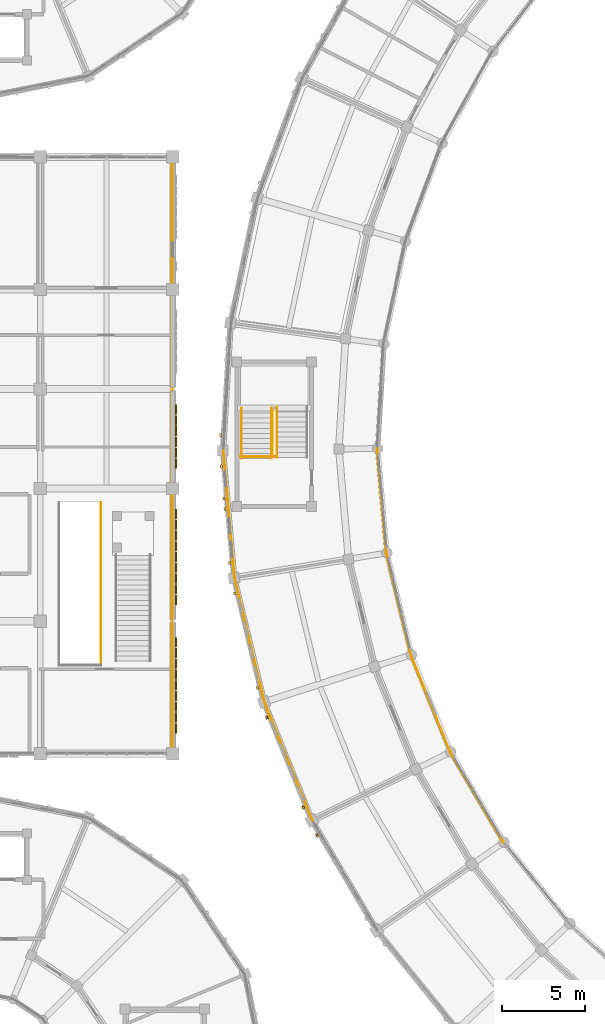
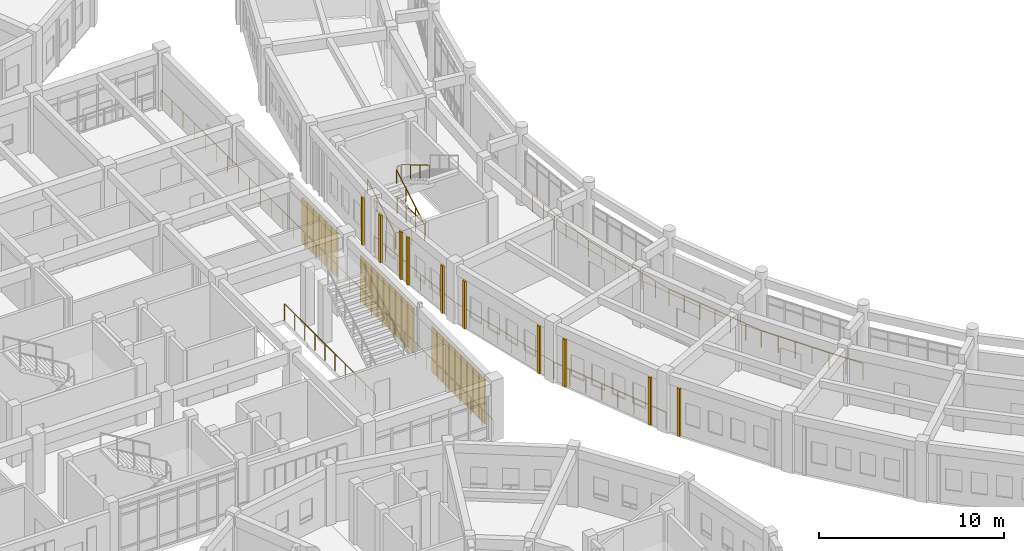
# One storey, part 143 of 159: 24 shading devices, 14 railings, 10 coverings.
"""IFC4 building model written with IfcOpenShell, lengths in metres."""

from ifc_helpers import new_model, si_unit, direction, frame, origin, origin_2d, place, context, subcontext, project, spatial, rectangle, circle, extrude, material, layer, layer_set, type_object, element, save


model = new_model("IFC4")

# Units and contexts
model_context = context("Model", 3, precision=1e-05, world=origin(), true_north=direction((0.0, 1.0)))
body_context = subcontext(model_context, "Body", "Model", "MODEL_VIEW")
ifc_project = project(units=[si_unit("LENGTHUNIT", "METRE"), si_unit("AREAUNIT", "SQUARE_METRE"), si_unit("VOLUMEUNIT", "CUBIC_METRE"), si_unit("PLANEANGLEUNIT", "RADIAN"), si_unit("MASSUNIT", "GRAM", prefix="KILO")], contexts=[model_context])

# Site, building, storey
site_placement = place(None, origin())
site = spatial("IfcSite", under=ifc_project, at=site_placement, CompositionType="ELEMENT")
building_placement = place(site_placement, origin())
building = spatial("IfcBuilding", under=site, at=building_placement, Name="Celadon Cloister-Ring School", CompositionType="ELEMENT")
storey_placement = place(building_placement, frame((0.0, 0.0, 4.5)))
storey = spatial("IfcBuildingStorey", under=building, at=storey_placement, Name="L01", CompositionType="ELEMENT", Elevation=4.5)

# Coverings
ifc_material_1 = material(Name="Perforated terracotta clay brick masonry", Category="masonry")
ifc_layer = layer(ifc_material_1, 0.139892578125)
ifc_layer_set = layer_set([ifc_layer], Name="Perforated terracotta clay brick masonry")
covering_type = type_object("IfcCoveringType", Name="CV-SC1", PredefinedType="CLADDING", material=ifc_layer_set)
for number, where, z_axis, x_axis, name in (
    (1, (34.884033203125, 59.217041015625, 0.0), (0.0, 0.0, 1.0), (0.06028200911, 0.99818138601, 0.0), "Brick Screen Rib 0140"),
    (2, (35.424072265625, 51.514892578125, 0.0), (0.0, 0.0, 1.0), (-0.087746881202, 0.996142803437, 0.0), "Brick Screen Rib 0144"),
    (3, (35.138916015625, 54.751953125, 0.0), (0.0, 0.0, 1.0), (-0.087746881202, 0.996142803437, 0.0), "Brick Screen Rib 0145"),
    (4, (35.08203125, 55.39990234375, 0.0), (0.0, 0.0, 1.0), (-0.087746881202, 0.996142803437, 0.0), "Brick Screen Rib 0146"),
    (5, (34.910888671875, 57.342041015625, 0.0), (0.0, 0.0, 1.0), (-0.087746881202, 0.996142803437, 0.0), "Brick Screen Rib 0147"),
    (6, (37.095947265625, 43.97705078125, 0.0), (0.0, 0.0, 1.0), (-0.233988401232, 0.972239388263, 0.0), "Brick Screen Rib 0148"),
    (7, (35.72705078125, 49.6650390625, 0.0), (0.0, 0.0, 1.0), (-0.233988401232, 0.972239388263, 0.0), "Brick Screen Rib 0149"),
    (8, (39.863037109375, 36.77001953125, 0.0), (0.0, 0.0, 1.0), (-0.375205264473, 0.926941750873, 0.0), "Brick Screen Rib 0150"),
    (9, (37.66796875, 42.19189453125, 0.0), (0.0, 0.0, 1.0), (-0.375205264473, 0.926941750873, 0.0), "Brick Screen Rib 0151"),
    (10, (40.694091796875, 35.089111328125, 0.0), (0.0, 0.0, 1.0), (-0.507809026694, 0.861469670045, 0.0), "Brick Screen Rib 0153"),
):
    element("IfcCovering", number, at=place(storey_placement, frame(where, z_axis=z_axis, x_axis=x_axis)), inside=storey, type_object=covering_type, Name=name, PredefinedType="CLADDING", context=body_context, shape_type="SweptSolid", body=[
        extrude(rectangle(XDim=0.179931640625, YDim=0.139892578125, at=origin_2d()), origin(), (0.0, 0.0, 1.0), 3.152099609375),
    ])

# Railings
ifc_material_2 = material(Name="Structural steel S355JR", Category="steel")
railing_type_1 = type_object("IfcRailingType", Name="RL-BL1", PredefinedType="BALUSTRADE", material=ifc_material_2)
railing_1_placement = place(storey_placement, frame((35.044921875, 58.281982421875, 0.0)))
element("IfcRailing", 11, at=railing_1_placement, inside=storey, type_object=railing_type_1, Name="Terrace Balustrade 0008", PredefinedType="BALUSTRADE", context=body_context, shape_type="SweptSolid", body=[
    extrude(circle(Radius=0.02392578125, at=origin_2d()), frame((0.0, 0.0, 1.09619140625), z_axis=(0.08782161192, -0.996136217834, 0.0), x_axis=(0.996136217834, 0.08782161192, 0.0)), (0.0, 0.0, 1.0), 7.69775390625),
    extrude(circle(Radius=0.02099609375, at=origin_2d()), origin(), (0.0, 0.0, 1.0), 1.072021484375),
    extrude(circle(Radius=0.02099609375, at=origin_2d()), frame((0.0966796875, -1.095458984375, 0.0)), (0.0, 0.0, 1.0), 1.072021484375),
    extrude(circle(Radius=0.02099609375, at=origin_2d()), frame((0.193115234375, -2.19091796875, 0.0)), (0.0, 0.0, 1.0), 1.072021484375),
    extrude(circle(Radius=0.02099609375, at=origin_2d()), frame((0.289794921875, -3.286376953125, 0.0)), (0.0, 0.0, 1.0), 1.072021484375),
    extrude(circle(Radius=0.02099609375, at=origin_2d()), frame((0.38623046875, -4.381591796875, 0.0)), (0.0, 0.0, 1.0), 1.072021484375),
    extrude(circle(Radius=0.02099609375, at=origin_2d()), frame((0.48291015625, -5.47705078125, 0.0)), (0.0, 0.0, 1.0), 1.072021484375),
    extrude(circle(Radius=0.02099609375, at=origin_2d()), frame((0.579345703125, -6.572509765625, 0.0)), (0.0, 0.0, 1.0), 1.072021484375),
    extrude(circle(Radius=0.02099609375, at=origin_2d()), frame((0.676025390625, -7.66796875, 0.0)), (0.0, 0.0, 1.0), 1.072021484375),
])
railing_2_placement = place(storey_placement, frame((35.720947265625, 50.614013671875, 0.0)))
element("IfcRailing", 12, at=railing_2_placement, inside=storey, type_object=railing_type_1, Name="Terrace Balustrade 0009", PredefinedType="BALUSTRADE", context=body_context, shape_type="SweptSolid", body=[
    extrude(circle(Radius=0.02392578125, at=origin_2d()), frame((0.0, 0.0, 1.09619140625), z_axis=(0.234086591506, -0.972215751609, 0.0), x_axis=(0.972215751609, 0.234086591506, 0.0)), (0.0, 0.0, 1.0), 7.697998046875),
    extrude(circle(Radius=0.02099609375, at=origin_2d()), origin(), (0.0, 0.0, 1.0), 1.072021484375),
    extrude(circle(Radius=0.02099609375, at=origin_2d()), frame((0.25732421875, -1.069091796875, 0.0)), (0.0, 0.0, 1.0), 1.072021484375),
    extrude(circle(Radius=0.02099609375, at=origin_2d()), frame((0.514892578125, -2.138427734375, 0.0)), (0.0, 0.0, 1.0), 1.072021484375),
    extrude(circle(Radius=0.02099609375, at=origin_2d()), frame((0.772216796875, -3.20751953125, 0.0)), (0.0, 0.0, 1.0), 1.072021484375),
    extrude(circle(Radius=0.02099609375, at=origin_2d()), frame((1.02978515625, -4.276611328125, 0.0)), (0.0, 0.0, 1.0), 1.072021484375),
    extrude(circle(Radius=0.02099609375, at=origin_2d()), frame((1.287109375, -5.345703125, 0.0)), (0.0, 0.0, 1.0), 1.072021484375),
    extrude(circle(Radius=0.02099609375, at=origin_2d()), frame((1.544677734375, -6.4150390625, 0.0)), (0.0, 0.0, 1.0), 1.072021484375),
    extrude(circle(Radius=0.02099609375, at=origin_2d()), frame((1.802001953125, -7.484130859375, 0.0)), (0.0, 0.0, 1.0), 1.072021484375),
])
railing_3_placement = place(storey_placement, frame((37.52294921875, 43.1298828125, 0.0)))
element("IfcRailing", 13, at=railing_3_placement, inside=storey, type_object=railing_type_1, Name="Terrace Balustrade 0010", PredefinedType="BALUSTRADE", context=body_context, shape_type="SweptSolid", body=[
    extrude(circle(Radius=0.02392578125, at=origin_2d()), frame((0.0, 0.0, 1.09619140625), z_axis=(0.375144097263, -0.926966507641, 0.0), x_axis=(0.926966507641, 0.375144097263, 0.0)), (0.0, 0.0, 1.0), 7.6982421875),
    extrude(circle(Radius=0.02099609375, at=origin_2d()), origin(), (0.0, 0.0, 1.0), 1.072021484375),
    extrude(circle(Radius=0.02099609375, at=origin_2d()), frame((0.41259765625, -1.01953125, 0.0)), (0.0, 0.0, 1.0), 1.072021484375),
    extrude(circle(Radius=0.02099609375, at=origin_2d()), frame((0.8251953125, -2.038818359375, 0.0)), (0.0, 0.0, 1.0), 1.072021484375),
    extrude(circle(Radius=0.02099609375, at=origin_2d()), frame((1.23779296875, -3.058349609375, 0.0)), (0.0, 0.0, 1.0), 1.072021484375),
    extrude(circle(Radius=0.02099609375, at=origin_2d()), frame((1.650146484375, -4.07763671875, 0.0)), (0.0, 0.0, 1.0), 1.072021484375),
    extrude(circle(Radius=0.02099609375, at=origin_2d()), frame((2.062744140625, -5.09716796875, 0.0)), (0.0, 0.0, 1.0), 1.072021484375),
    extrude(circle(Radius=0.02099609375, at=origin_2d()), frame((2.475341796875, -6.116455078125, 0.0)), (0.0, 0.0, 1.0), 1.072021484375),
    extrude(circle(Radius=0.02099609375, at=origin_2d()), frame((2.887939453125, -7.135986328125, 0.0)), (0.0, 0.0, 1.0), 1.072021484375),
])
railing_4_placement = place(storey_placement, frame((44.31396484375, 58.409912109375, 0.0)))
element("IfcRailing", 14, at=railing_4_placement, inside=storey, type_object=railing_type_1, Name="Terrace Balustrade 0043", PredefinedType="BALUSTRADE", context=body_context, shape_type="SweptSolid", body=[
    extrude(circle(Radius=0.02392578125, at=origin_2d()), frame((0.0, 0.0, 1.09619140625), z_axis=(0.087938875289, -0.996125872675, 0.0), x_axis=(0.996125872675, 0.087938875289, 0.0)), (0.0, 0.0, 1.0), 6.32421875),
    extrude(circle(Radius=0.02099609375, at=origin_2d()), origin(), (0.0, 0.0, 1.0), 1.072021484375),
    extrude(circle(Radius=0.02099609375, at=origin_2d()), frame((0.0927734375, -1.050048828125, 0.0)), (0.0, 0.0, 1.0), 1.072021484375),
    extrude(circle(Radius=0.02099609375, at=origin_2d()), frame((0.185302734375, -2.099853515625, 0.0)), (0.0, 0.0, 1.0), 1.072021484375),
    extrude(circle(Radius=0.02099609375, at=origin_2d()), frame((0.278076171875, -3.14990234375, 0.0)), (0.0, 0.0, 1.0), 1.072021484375),
    extrude(circle(Radius=0.02099609375, at=origin_2d()), frame((0.370849609375, -4.199951171875, 0.0)), (0.0, 0.0, 1.0), 1.072021484375),
    extrude(circle(Radius=0.02099609375, at=origin_2d()), frame((0.46337890625, -5.249755859375, 0.0)), (0.0, 0.0, 1.0), 1.072021484375),
    extrude(circle(Radius=0.02099609375, at=origin_2d()), frame((0.55615234375, -6.2998046875, 0.0)), (0.0, 0.0, 1.0), 1.072021484375),
])
railing_5_placement = place(storey_placement, frame((44.8701171875, 52.110107421875, 0.0)))
element("IfcRailing", 15, at=railing_5_placement, inside=storey, type_object=railing_type_1, Name="Terrace Balustrade 0044", PredefinedType="BALUSTRADE", context=body_context, shape_type="SweptSolid", body=[
    extrude(circle(Radius=0.02392578125, at=origin_2d()), frame((0.0, 0.0, 1.09619140625), z_axis=(0.233997757612, -0.972237136419, 0.0), x_axis=(0.972237136419, 0.233997757612, 0.0)), (0.0, 0.0, 1.0), 6.32470703125),
    extrude(circle(Radius=0.02099609375, at=origin_2d()), origin(), (0.0, 0.0, 1.0), 1.072021484375),
    extrude(circle(Radius=0.02099609375, at=origin_2d()), frame((0.24658203125, -1.02490234375, 0.0)), (0.0, 0.0, 1.0), 1.072021484375),
    extrude(circle(Radius=0.02099609375, at=origin_2d()), frame((0.493408203125, -2.0498046875, 0.0)), (0.0, 0.0, 1.0), 1.072021484375),
    extrude(circle(Radius=0.02099609375, at=origin_2d()), frame((0.739990234375, -3.07470703125, 0.0)), (0.0, 0.0, 1.0), 1.072021484375),
    extrude(circle(Radius=0.02099609375, at=origin_2d()), frame((0.986572265625, -4.099365234375, 0.0)), (0.0, 0.0, 1.0), 1.072021484375),
    extrude(circle(Radius=0.02099609375, at=origin_2d()), frame((1.2333984375, -5.124267578125, 0.0)), (0.0, 0.0, 1.0), 1.072021484375),
    extrude(circle(Radius=0.02099609375, at=origin_2d()), frame((1.47998046875, -6.149169921875, 0.0)), (0.0, 0.0, 1.0), 1.072021484375),
])
railing_6_placement = place(storey_placement, frame((46.35009765625, 45.9609375, 0.0)))
element("IfcRailing", 16, at=railing_6_placement, inside=storey, type_object=railing_type_1, Name="Terrace Balustrade 0045", PredefinedType="BALUSTRADE", context=body_context, shape_type="SweptSolid", body=[
    extrude(circle(Radius=0.02392578125, at=origin_2d()), frame((0.0, 0.0, 1.09619140625), z_axis=(0.375082176231, -0.926991564726, 0.0), x_axis=(0.926991564726, 0.375082176231, 0.0)), (0.0, 0.0, 1.0), 6.323486328125),
    extrude(circle(Radius=0.02099609375, at=origin_2d()), origin(), (0.0, 0.0, 1.0), 1.072021484375),
    extrude(circle(Radius=0.02099609375, at=origin_2d()), frame((0.395263671875, -0.97705078125, 0.0)), (0.0, 0.0, 1.0), 1.072021484375),
    extrude(circle(Radius=0.02099609375, at=origin_2d()), frame((0.79052734375, -1.953857421875, 0.0)), (0.0, 0.0, 1.0), 1.072021484375),
    extrude(circle(Radius=0.02099609375, at=origin_2d()), frame((1.18603515625, -2.930908203125, 0.0)), (0.0, 0.0, 1.0), 1.072021484375),
    extrude(circle(Radius=0.02099609375, at=origin_2d()), frame((1.581298828125, -3.907958984375, 0.0)), (0.0, 0.0, 1.0), 1.072021484375),
    extrude(circle(Radius=0.02099609375, at=origin_2d()), frame((1.9765625, -4.884765625, 0.0)), (0.0, 0.0, 1.0), 1.072021484375),
    extrude(circle(Radius=0.02099609375, at=origin_2d()), frame((2.371826171875, -5.86181640625, 0.0)), (0.0, 0.0, 1.0), 1.072021484375),
])
railing_7_placement = place(storey_placement, frame((48.721923828125, 40.09912109375, 0.0)))
element("IfcRailing", 17, at=railing_7_placement, inside=storey, type_object=railing_type_1, Name="Terrace Balustrade 0046", PredefinedType="BALUSTRADE", context=body_context, shape_type="SweptSolid", body=[
    extrude(circle(Radius=0.02392578125, at=origin_2d()), frame((0.0, 0.0, 1.09619140625), z_axis=(0.507993097336, -0.861361139743, 0.0), x_axis=(0.861361139743, 0.507993097336, 0.0)), (0.0, 0.0, 1.0), 6.3251953125),
    extrude(circle(Radius=0.02099609375, at=origin_2d()), origin(), (0.0, 0.0, 1.0), 1.072021484375),
    extrude(circle(Radius=0.02099609375, at=origin_2d()), frame((0.53564453125, -0.907958984375, 0.0)), (0.0, 0.0, 1.0), 1.072021484375),
    extrude(circle(Radius=0.02099609375, at=origin_2d()), frame((1.071044921875, -1.816162109375, 0.0)), (0.0, 0.0, 1.0), 1.072021484375),
    extrude(circle(Radius=0.02099609375, at=origin_2d()), frame((1.6064453125, -2.72412109375, 0.0)), (0.0, 0.0, 1.0), 1.072021484375),
    extrude(circle(Radius=0.02099609375, at=origin_2d()), frame((2.14208984375, -3.632080078125, 0.0)), (0.0, 0.0, 1.0), 1.072021484375),
    extrude(circle(Radius=0.02099609375, at=origin_2d()), frame((2.677734375, -4.540283203125, 0.0)), (0.0, 0.0, 1.0), 1.072021484375),
    extrude(circle(Radius=0.02099609375, at=origin_2d()), frame((3.213134765625, -5.4482421875, 0.0)), (0.0, 0.0, 1.0), 1.072021484375),
])
railing_8_placement = place(storey_placement, frame((31.9599609375, 40.0400390625, 0.0)))
element("IfcRailing", 18, at=railing_8_placement, inside=storey, type_object=railing_type_1, Name="Terrace Balustrade 0445", PredefinedType="BALUSTRADE", context=body_context, shape_type="SweptSolid", body=[
    extrude(circle(Radius=0.02392578125, at=origin_2d()), frame((0.0, 0.0, 1.09619140625), z_axis=(0.0, 1.0, 0.0), x_axis=(-1.0, 0.0, 0.0)), (0.0, 0.0, 1.0), 35.919921875),
    extrude(circle(Radius=0.02099609375, at=origin_2d()), origin(), (0.0, 0.0, 1.0), 1.072021484375),
    extrude(circle(Radius=0.02099609375, at=origin_2d()), frame((0.0, 1.197265625, 0.0)), (0.0, 0.0, 1.0), 1.072021484375),
    extrude(circle(Radius=0.02099609375, at=origin_2d()), frame((0.0, 2.394775390625, 0.0)), (0.0, 0.0, 1.0), 1.072021484375),
    extrude(circle(Radius=0.02099609375, at=origin_2d()), frame((0.0, 3.592041015625, 0.0)), (0.0, 0.0, 1.0), 1.072021484375),
    extrude(circle(Radius=0.02099609375, at=origin_2d()), frame((0.0, 4.789306640625, 0.0)), (0.0, 0.0, 1.0), 1.072021484375),
    extrude(circle(Radius=0.02099609375, at=origin_2d()), frame((0.0, 5.986572265625, 0.0)), (0.0, 0.0, 1.0), 1.072021484375),
    extrude(circle(Radius=0.02099609375, at=origin_2d()), frame((0.0, 7.18408203125, 0.0)), (0.0, 0.0, 1.0), 1.072021484375),
    extrude(circle(Radius=0.02099609375, at=origin_2d()), frame((0.0, 8.38134765625, 0.0)), (0.0, 0.0, 1.0), 1.072021484375),
    extrude(circle(Radius=0.02099609375, at=origin_2d()), frame((0.0, 9.57861328125, 0.0)), (0.0, 0.0, 1.0), 1.072021484375),
    extrude(circle(Radius=0.02099609375, at=origin_2d()), frame((0.0, 10.77587890625, 0.0)), (0.0, 0.0, 1.0), 1.072021484375),
    extrude(circle(Radius=0.02099609375, at=origin_2d()), frame((0.0, 11.973388671875, 0.0)), (0.0, 0.0, 1.0), 1.072021484375),
    extrude(circle(Radius=0.02099609375, at=origin_2d()), frame((0.0, 13.170654296875, 0.0)), (0.0, 0.0, 1.0), 1.072021484375),
    extrude(circle(Radius=0.02099609375, at=origin_2d()), frame((0.0, 14.367919921875, 0.0)), (0.0, 0.0, 1.0), 1.072021484375),
    extrude(circle(Radius=0.02099609375, at=origin_2d()), frame((0.0, 15.565185546875, 0.0)), (0.0, 0.0, 1.0), 1.072021484375),
    extrude(circle(Radius=0.02099609375, at=origin_2d()), frame((0.0, 16.7626953125, 0.0)), (0.0, 0.0, 1.0), 1.072021484375),
    extrude(circle(Radius=0.02099609375, at=origin_2d()), frame((0.0, 17.9599609375, 0.0)), (0.0, 0.0, 1.0), 1.072021484375),
    extrude(circle(Radius=0.02099609375, at=origin_2d()), frame((0.0, 19.1572265625, 0.0)), (0.0, 0.0, 1.0), 1.072021484375),
    extrude(circle(Radius=0.02099609375, at=origin_2d()), frame((0.0, 20.354736328125, 0.0)), (0.0, 0.0, 1.0), 1.072021484375),
    extrude(circle(Radius=0.02099609375, at=origin_2d()), frame((0.0, 21.552001953125, 0.0)), (0.0, 0.0, 1.0), 1.072021484375),
    extrude(circle(Radius=0.02099609375, at=origin_2d()), frame((0.0, 22.749267578125, 0.0)), (0.0, 0.0, 1.0), 1.072021484375),
    extrude(circle(Radius=0.02099609375, at=origin_2d()), frame((0.0, 23.946533203125, 0.0)), (0.0, 0.0, 1.0), 1.072021484375),
    extrude(circle(Radius=0.02099609375, at=origin_2d()), frame((0.0, 25.14404296875, 0.0)), (0.0, 0.0, 1.0), 1.072021484375),
    extrude(circle(Radius=0.02099609375, at=origin_2d()), frame((0.0, 26.34130859375, 0.0)), (0.0, 0.0, 1.0), 1.072021484375),
    extrude(circle(Radius=0.02099609375, at=origin_2d()), frame((0.0, 27.53857421875, 0.0)), (0.0, 0.0, 1.0), 1.072021484375),
    extrude(circle(Radius=0.02099609375, at=origin_2d()), frame((0.0, 28.73583984375, 0.0)), (0.0, 0.0, 1.0), 1.072021484375),
    extrude(circle(Radius=0.02099609375, at=origin_2d()), frame((0.0, 29.933349609375, 0.0)), (0.0, 0.0, 1.0), 1.072021484375),
    extrude(circle(Radius=0.02099609375, at=origin_2d()), frame((0.0, 31.130615234375, 0.0)), (0.0, 0.0, 1.0), 1.072021484375),
    extrude(circle(Radius=0.02099609375, at=origin_2d()), frame((0.0, 32.327880859375, 0.0)), (0.0, 0.0, 1.0), 1.072021484375),
    extrude(circle(Radius=0.02099609375, at=origin_2d()), frame((0.0, 33.525146484375, 0.0)), (0.0, 0.0, 1.0), 1.072021484375),
    extrude(circle(Radius=0.02099609375, at=origin_2d()), frame((0.0, 34.72265625, 0.0)), (0.0, 0.0, 1.0), 1.072021484375),
    extrude(circle(Radius=0.02099609375, at=origin_2d()), frame((0.0, 35.919921875, 0.0)), (0.0, 0.0, 1.0), 1.072021484375),
])
ifc_material_3 = material(Name="Structural steel S355JR", Category="steel")
railing_type_2 = type_object("IfcRailingType", Name="RL-BL2", PredefinedType="BALUSTRADE", material=ifc_material_3)
railing_9_placement = place(storey_placement, frame((36.090087890625, 57.9150390625, 0.0)))
element("IfcRailing", 19, at=railing_9_placement, inside=storey, type_object=railing_type_2, Name="Interior Guard 0242", PredefinedType="BALUSTRADE", context=body_context, shape_type="SweptSolid", body=[
    extrude(circle(Radius=0.02392578125, at=origin_2d()), frame((0.0, 0.0, 1.09619140625), z_axis=(1.0, 0.0, 0.0), x_axis=(0.0, 1.0, 0.0)), (0.0, 0.0, 1.0), 2.139892578125),
    extrude(circle(Radius=0.02099609375, at=origin_2d()), origin(), (0.0, 0.0, 1.0), 1.072021484375),
    extrude(circle(Radius=0.02099609375, at=origin_2d()), frame((1.06982421875, 0.0, 0.0)), (0.0, 0.0, 1.0), 1.072021484375),
    extrude(circle(Radius=0.02099609375, at=origin_2d()), frame((2.139892578125, 0.0, 0.0)), (0.0, 0.0, 1.0), 1.072021484375),
])
railing_10_placement = place(storey_placement, frame((37.989990234375, 57.9150390625, 0.0)))
element("IfcRailing", 20, at=railing_10_placement, inside=storey, type_object=railing_type_2, Name="Interior Guard 0243", PredefinedType="BALUSTRADE", context=body_context, shape_type="SweptSolid", body=[
    extrude(circle(Radius=0.02392578125, at=origin_2d()), frame((0.0, 0.0, 1.09619140625), z_axis=(0.0, 1.0, 0.0), x_axis=(-1.0, 0.0, 0.0)), (0.0, 0.0, 1.0), 2.93505859375),
    extrude(circle(Radius=0.02099609375, at=origin_2d()), origin(), (0.0, 0.0, 1.0), 1.072021484375),
    extrude(circle(Radius=0.02099609375, at=origin_2d()), frame((0.0, 0.978271484375, 0.0)), (0.0, 0.0, 1.0), 1.072021484375),
    extrude(circle(Radius=0.02099609375, at=origin_2d()), frame((0.0, 1.956787109375, 0.0)), (0.0, 0.0, 1.0), 1.072021484375),
    extrude(circle(Radius=0.02099609375, at=origin_2d()), frame((0.0, 2.93505859375, 0.0)), (0.0, 0.0, 1.0), 1.072021484375),
])
railing_11_placement = place(storey_placement, frame((27.6650390625, 45.3349609375, 0.0)))
element("IfcRailing", 21, at=railing_11_placement, inside=storey, type_object=railing_type_2, Name="Interior Guard 0276", PredefinedType="BALUSTRADE", context=body_context, shape_type="SweptSolid", body=[
    extrude(circle(Radius=0.02392578125, at=origin_2d()), frame((0.0, 0.0, 1.09619140625), z_axis=(0.0, 1.0, 0.0), x_axis=(-1.0, 0.0, 0.0)), (0.0, 0.0, 1.0), 9.81494140625),
    extrude(circle(Radius=0.02099609375, at=origin_2d()), origin(), (0.0, 0.0, 1.0), 1.072021484375),
    extrude(circle(Radius=0.02099609375, at=origin_2d()), frame((0.0, 1.090576171875, 0.0)), (0.0, 0.0, 1.0), 1.072021484375),
    extrude(circle(Radius=0.02099609375, at=origin_2d()), frame((0.0, 2.18115234375, 0.0)), (0.0, 0.0, 1.0), 1.072021484375),
    extrude(circle(Radius=0.02099609375, at=origin_2d()), frame((0.0, 3.271728515625, 0.0)), (0.0, 0.0, 1.0), 1.072021484375),
    extrude(circle(Radius=0.02099609375, at=origin_2d()), frame((0.0, 4.3623046875, 0.0)), (0.0, 0.0, 1.0), 1.072021484375),
    extrude(circle(Radius=0.02099609375, at=origin_2d()), frame((0.0, 5.45263671875, 0.0)), (0.0, 0.0, 1.0), 1.072021484375),
    extrude(circle(Radius=0.02099609375, at=origin_2d()), frame((0.0, 6.543212890625, 0.0)), (0.0, 0.0, 1.0), 1.072021484375),
    extrude(circle(Radius=0.02099609375, at=origin_2d()), frame((0.0, 7.6337890625, 0.0)), (0.0, 0.0, 1.0), 1.072021484375),
    extrude(circle(Radius=0.02099609375, at=origin_2d()), frame((0.0, 8.724365234375, 0.0)), (0.0, 0.0, 1.0), 1.072021484375),
    extrude(circle(Radius=0.02099609375, at=origin_2d()), frame((0.0, 9.81494140625, 0.0)), (0.0, 0.0, 1.0), 1.072021484375),
])
ifc_material_4 = material(Name="Structural steel S355JR", Category="steel")
railing_type_3 = type_object("IfcRailingType", Name="RL-HR1", PredefinedType="HANDRAIL", material=ifc_material_4)
for number, where, name in (
    (22, (37.945068359375, 57.800048828125, 0.181884765625), "Stair Handrail 0237"),
    (23, (36.135009765625, 57.800048828125, 0.181884765625), "Stair Handrail 0238"),
):
    element("IfcRailing", number, at=place(storey_placement, frame(where)), inside=storey, type_object=railing_type_3, Name=name, PredefinedType="HANDRAIL", context=body_context, shape_type="SweptSolid", body=[
        extrude(circle(Radius=0.02099609375, at=origin_2d()), frame((0.0, 0.0, 0.87890625), z_axis=(0.0, 0.858969654429, 0.51202649616), x_axis=(-1.0, 0.0, 0.0)), (0.0, 0.0, 1.0), 3.55078125),
        extrude(circle(Radius=0.01806640625, at=origin_2d()), origin(), (0.0, 0.0, 1.0), 0.85791015625),
        extrude(circle(Radius=0.01806640625, at=origin_2d()), frame((0.0, 1.0166015625, 0.60595703125)), (0.0, 0.0, 1.0), 0.85791015625),
        extrude(circle(Radius=0.01806640625, at=origin_2d()), frame((0.0, 2.033447265625, 1.212158203125)), (0.0, 0.0, 1.0), 0.85791015625),
        extrude(circle(Radius=0.01806640625, at=origin_2d()), frame((0.0, 3.050048828125, 1.818115234375)), (0.0, 0.0, 1.0), 0.85791015625),
    ])
railing_12_placement = place(storey_placement, frame((38.27490234375, 60.929931640625, 2.181884765625)))
element("IfcRailing", 24, at=railing_12_placement, inside=storey, type_object=railing_type_3, Name="Stair Handrail 0239", PredefinedType="HANDRAIL", context=body_context, shape_type="SweptSolid", body=[
    extrude(circle(Radius=0.02099609375, at=origin_2d()), frame((0.0, 0.0, 0.87890625), z_axis=(0.0, -0.858969654429, 0.51202649616), x_axis=(1.0, 0.0, 0.0)), (0.0, 0.0, 1.0), 3.55078125),
    extrude(circle(Radius=0.01806640625, at=origin_2d()), origin(), (0.0, 0.0, 1.0), 0.85791015625),
    extrude(circle(Radius=0.01806640625, at=origin_2d()), frame((0.0, -1.0166015625, 0.60595703125)), (0.0, 0.0, 1.0), 0.85791015625),
    extrude(circle(Radius=0.01806640625, at=origin_2d()), frame((0.0, -2.033447265625, 1.212158203125)), (0.0, 0.0, 1.0), 0.85791015625),
    extrude(circle(Radius=0.01806640625, at=origin_2d()), frame((0.0, -3.050048828125, 1.818115234375)), (0.0, 0.0, 1.0), 0.85791015625),
])

# Shading devices
ifc_material_5 = material(Name="Glazed celadon architectural terracotta", Category="masonry")
shading_device_type = type_object("IfcShadingDeviceType", Name="SD-01", PredefinedType="USERDEFINED", material=ifc_material_5)
for number, where, z_axis, x_axis, name in (
    (25, (32.172119140625, 60.758056640625, 0.0), (0.0, 0.0, 1.0), (0.0, -1.0, 0.0), "Celadon Sunshade Screen 0131"),
    (26, (32.172119140625, 60.10791015625, 0.0), (0.0, 0.0, 1.0), (0.0, -1.0, 0.0), "Celadon Sunshade Screen 0132"),
    (27, (32.172119140625, 59.4580078125, 0.0), (0.0, 0.0, 1.0), (0.0, -1.0, 0.0), "Celadon Sunshade Screen 0133"),
    (28, (32.172119140625, 58.806884765625, 0.0), (0.0, 0.0, 1.0), (0.0, -1.0, 0.0), "Celadon Sunshade Screen 0134"),
    (29, (32.172119140625, 58.156982421875, 0.0), (0.0, 0.0, 1.0), (0.0, -1.0, 0.0), "Celadon Sunshade Screen 0135"),
    (30, (32.172119140625, 57.508056640625, 0.0), (0.0, 0.0, 1.0), (0.0, -1.0, 0.0), "Celadon Sunshade Screen 0136"),
    (31, (32.172119140625, 54.468017578125, 0.0), (0.0, 0.0, 1.0), (0.0, -1.0, 0.0), "Celadon Sunshade Screen 0137"),
    (32, (32.172119140625, 53.818115234375, 0.0), (0.0, 0.0, 1.0), (0.0, -1.0, 0.0), "Celadon Sunshade Screen 0138"),
    (33, (32.172119140625, 53.1669921875, 0.0), (0.0, 0.0, 1.0), (0.0, -1.0, 0.0), "Celadon Sunshade Screen 0139"),
    (34, (32.172119140625, 52.51708984375, 0.0), (0.0, 0.0, 1.0), (0.0, -1.0, 0.0), "Celadon Sunshade Screen 0140"),
    (35, (32.172119140625, 51.866943359375, 0.0), (0.0, 0.0, 1.0), (0.0, -1.0, 0.0), "Celadon Sunshade Screen 0141"),
    (36, (32.172119140625, 51.218017578125, 0.0), (0.0, 0.0, 1.0), (0.0, -1.0, 0.0), "Celadon Sunshade Screen 0142"),
    (37, (32.172119140625, 50.56689453125, 0.0), (0.0, 0.0, 1.0), (0.0, -1.0, 0.0), "Celadon Sunshade Screen 0143"),
    (38, (32.172119140625, 49.91796875, 0.0), (0.0, 0.0, 1.0), (0.0, -1.0, 0.0), "Celadon Sunshade Screen 0144"),
    (39, (32.172119140625, 49.26708984375, 0.0), (0.0, 0.0, 1.0), (0.0, -1.0, 0.0), "Celadon Sunshade Screen 0145"),
    (40, (32.172119140625, 46.73291015625, 0.0), (0.0, 0.0, 1.0), (0.0, -1.0, 0.0), "Celadon Sunshade Screen 0146"),
    (41, (32.172119140625, 46.0830078125, 0.0), (0.0, 0.0, 1.0), (0.0, -1.0, 0.0), "Celadon Sunshade Screen 0147"),
    (42, (32.172119140625, 45.431884765625, 0.0), (0.0, 0.0, 1.0), (0.0, -1.0, 0.0), "Celadon Sunshade Screen 0148"),
    (43, (32.172119140625, 44.781982421875, 0.0), (0.0, 0.0, 1.0), (0.0, -1.0, 0.0), "Celadon Sunshade Screen 0149"),
    (44, (32.172119140625, 44.133056640625, 0.0), (0.0, 0.0, 1.0), (0.0, -1.0, 0.0), "Celadon Sunshade Screen 0150"),
    (45, (32.172119140625, 43.48291015625, 0.0), (0.0, 0.0, 1.0), (0.0, -1.0, 0.0), "Celadon Sunshade Screen 0151"),
    (46, (32.172119140625, 42.83203125, 0.0), (0.0, 0.0, 1.0), (0.0, -1.0, 0.0), "Celadon Sunshade Screen 0152"),
    (47, (32.172119140625, 42.18310546875, 0.0), (0.0, 0.0, 1.0), (0.0, -1.0, 0.0), "Celadon Sunshade Screen 0153"),
    (48, (32.172119140625, 41.531982421875, 0.0), (0.0, 0.0, 1.0), (0.0, -1.0, 0.0), "Celadon Sunshade Screen 0154"),
):
    element("IfcShadingDevice", number, at=place(storey_placement, frame(where, z_axis=z_axis, x_axis=x_axis)), inside=storey, type_object=shading_device_type, Name=name, ObjectType="SUNSHADE", PredefinedType="USERDEFINED", context=body_context, shape_type="SweptSolid", body=[
        extrude(rectangle(XDim=0.56005859375, YDim=0.090087890625, at=origin_2d()), origin(), (0.0, 0.0, 1.0), 2.949951171875),
    ])

save(model, "model.ifc")
